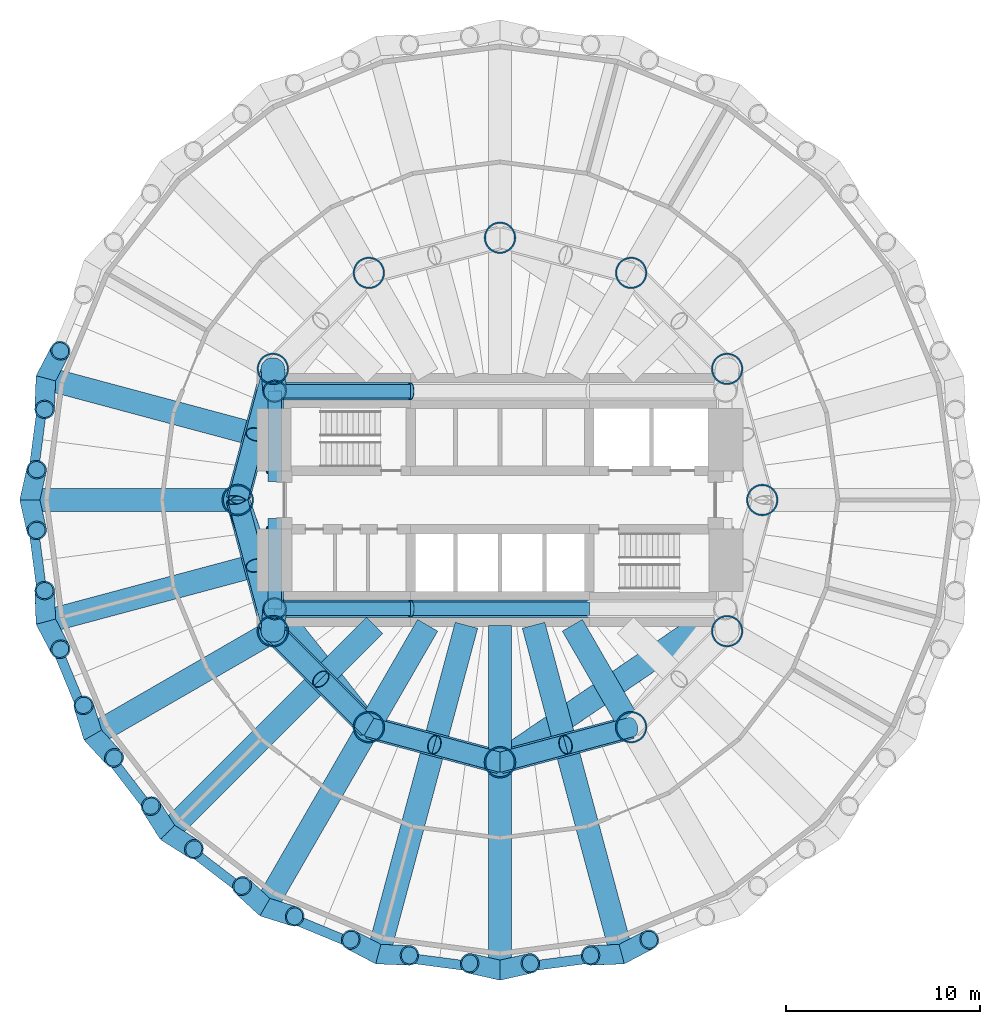
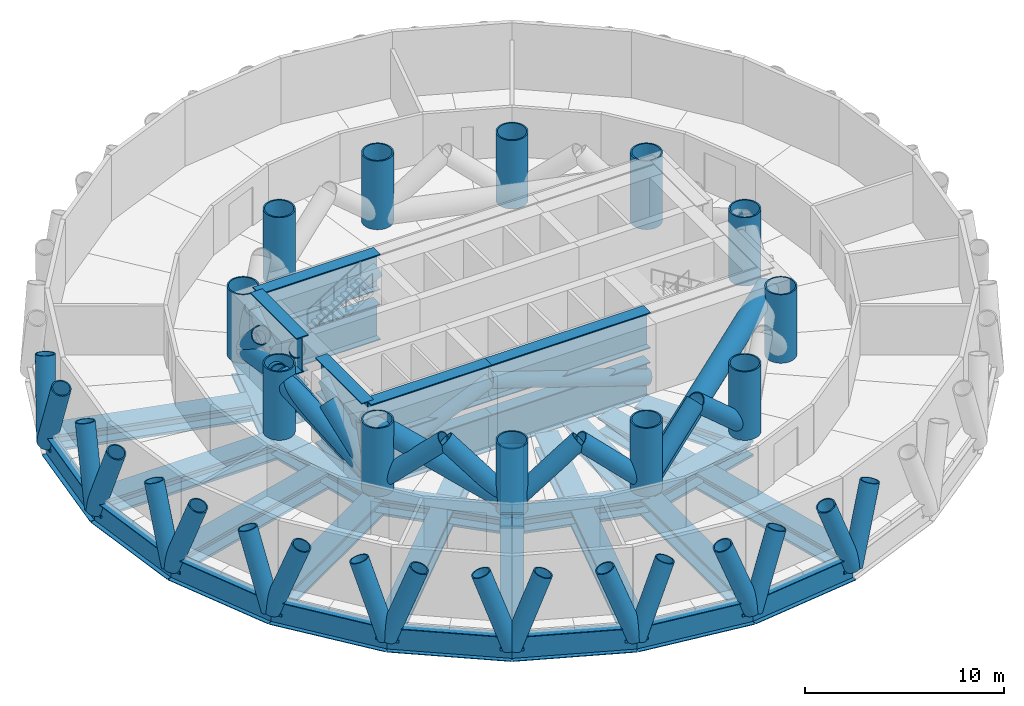
# One storey, part 1 of 6: 40 members, 38 beams, 12 columns.
"""IFC4 building model written with IfcOpenShell, lengths in metres."""

from ifc_helpers import new_model, si_unit, direction, frame, origin, origin_2d, place, context, subcontext, project, spatial, hollow_circle, i_section, extrude, material, material_profile, profile_set, type_object, element, save


model = new_model("IFC4")

# Units and contexts
model_context = context("Model", 3, precision=1e-05, world=origin(), true_north=direction((0.0, 1.0)))
body_context = subcontext(model_context, "Body", "Model", "MODEL_VIEW")
ifc_project = project(units=[si_unit("LENGTHUNIT", "METRE"), si_unit("AREAUNIT", "SQUARE_METRE"), si_unit("VOLUMEUNIT", "CUBIC_METRE"), si_unit("PLANEANGLEUNIT", "RADIAN"), si_unit("MASSUNIT", "GRAM", prefix="KILO")], contexts=[model_context])

# Site, building, storey
site_placement = place(None, origin())
site = spatial("IfcSite", under=ifc_project, at=site_placement, CompositionType="ELEMENT")
building_placement = place(site_placement, origin())
building = spatial("IfcBuilding", under=site, at=building_placement, Name="Qaws Media Tower", CompositionType="ELEMENT")
storey_placement = place(building_placement, frame((0.0, 0.0, 194.0)))
storey = spatial("IfcBuildingStorey", under=building, at=storey_placement, Name="L44", CompositionType="ELEMENT", Elevation=194.0)

# Columns
ifc_material_1 = material(Name="Steel S460", Category="steel")
ifc_material_profile_1 = material_profile(ifc_material_1, hollow_circle(Radius=0.81298828125, WallThickness=0.080078125, at=origin_2d()), Name="CHS 1626x80")
ifc_profile_set_1 = profile_set([ifc_material_profile_1], Name="Steel S460")
column_type = type_object("IfcColumnType", Name="Inner column CHS 1626x80", PredefinedType="COLUMN", material=ifc_profile_set_1)
for number, where, z_axis, x_axis, name in (
    (1, (73.5, 50.0, 0.0), (0.0, 0.0, 1.0), (1.0, 0.0, 0.0), "C6 inner column I01 L44"),
    (2, (71.69140625, 56.75, 0.0), (0.0, 0.0, 1.0), (1.0, 0.0, 0.0), "C6 inner column I02 L44"),
    (3, (66.75, 61.69140625, 0.0), (0.0, 0.0, 1.0), (1.0, 0.0, 0.0), "C6 inner column I03 L44"),
    (4, (60.0, 63.5, 0.0), (0.0, 0.0, 1.0), (1.0, 0.0, 0.0), "C6 inner column I04 L44"),
    (5, (53.25, 61.69140625, 0.0), (0.0, 0.0, 1.0), (1.0, 0.0, 0.0), "C6 inner column I05 L44"),
    (6, (48.30859375, 56.75, 0.0), (0.0, 0.0, 1.0), (1.0, 0.0, 0.0), "C6 inner column I06 L44"),
    (7, (46.5, 50.0, 0.0), (0.0, 0.0, 1.0), (1.0, 0.0, 0.0), "C6 inner column I07 L44"),
    (8, (48.30859375, 43.25, 0.0), (0.0, 0.0, 1.0), (1.0, 0.0, 0.0), "C6 inner column I08 L44"),
    (9, (53.25, 38.30859375, 0.0), (0.0, 0.0, 1.0), (1.0, 0.0, 0.0), "C6 inner column I09 L44"),
    (10, (60.0, 36.5, 0.0), (0.0, 0.0, 1.0), (1.0, 0.0, 0.0), "C6 inner column I10 L44"),
    (11, (66.75, 38.30859375, 0.0), (0.0, 0.0, 1.0), (1.0, 0.0, 0.0), "C6 inner column I11 L44"),
    (12, (71.69140625, 43.25, 0.0), (0.0, 0.0, 1.0), (1.0, 0.0, 0.0), "C6 inner column I12 L44"),
):
    element("IfcColumn", number, at=place(storey_placement, frame(where, z_axis=z_axis, x_axis=x_axis)), inside=storey, type_object=column_type, Name=name, PredefinedType="COLUMN", context=body_context, shape_type="SweptSolid", body=[
        extrude(hollow_circle(Radius=0.81298828125, WallThickness=0.080078125, at=origin_2d()), origin(), (0.0, 0.0, 1.0), 4.199951171875),
    ])

# Members
ifc_material_2 = material(Name="Steel S355", Category="steel")
ifc_material_profile_2 = material_profile(ifc_material_2, hollow_circle(Radius=0.508056640625, WallThickness=0.050048828125, at=origin_2d()), Name="CHS 1016x50")
ifc_profile_set_2 = profile_set([ifc_material_profile_2], Name="Steel S355")
member_type_1 = type_object("IfcMemberType", Name="Belt truss diagonal CHS 1016x50", PredefinedType="BRACE", material=ifc_profile_set_2)
member_1_placement = place(storey_placement, frame((48.30859375, 56.75, 0.39990234375), z_axis=(-0.192495823814, -0.718429338123, 0.668434472434), x_axis=(0.965928090778, -0.258810593767, 0.0)))
element("IfcMember", 13, at=member_1_placement, inside=storey, type_object=member_type_1, Name="BT1 belt diagonal L44 I06 to bay I06-I07 apex", PredefinedType="BRACE", context=body_context, shape_type="SweptSolid", body=[
    extrude(hollow_circle(Radius=0.508056640625, WallThickness=0.050048828125, at=origin_2d()), origin(), (0.0, 0.0, 1.0), 4.69775390625),
])
for number, where, z_axis, x_axis, name in (
    (14, (48.30859375, 56.75, 0.39990234375), (-0.236071893231, -0.881063134997, 0.409875363221), (0.965928090778, -0.258810593767, 0.0), "BT1 belt diagonal L44 I06 to the head over I07"),
    (15, (48.30859375, 43.25, 0.39990234375), (-0.236071893231, 0.881063134997, 0.409875363221), (-0.965928090778, -0.258810593767, 0.0), "BT1 belt diagonal L44 I08 to the head over I07"),
):
    element("IfcMember", number, at=place(storey_placement, frame(where, z_axis=z_axis, x_axis=x_axis)), inside=storey, type_object=member_type_1, Name=name, PredefinedType="BRACE", context=body_context, shape_type="SweptSolid", body=[
        extrude(hollow_circle(Radius=0.508056640625, WallThickness=0.050048828125, at=origin_2d()), origin(), (0.0, 0.0, 1.0), 7.6611328125),
    ])
for number, where, z_axis, x_axis, name in (
    (16, (48.30859375, 43.25, 0.39990234375), (-0.192495823814, 0.718429338123, 0.668434472434), (-0.965928090778, -0.258810593767, 0.0), "BT1 belt diagonal L44 I08 to bay I07-I08 apex"),
    (17, (48.30859375, 43.25, 0.39990234375), (0.525929105231, -0.525929105231, 0.668428868723), (0.707106781187, 0.707106781187, 0.0), "BT1 belt diagonal L44 I08 to bay I08-I09 apex"),
    (18, (53.25, 38.30859375, 0.39990234375), (-0.525929105231, 0.525929105231, 0.668428868723), (-0.707106781187, -0.707106781187, 0.0), "BT1 belt diagonal L44 I09 to bay I08-I09 apex"),
    (19, (53.25, 38.30859375, 0.39990234375), (0.718429338123, -0.192495823814, 0.668434472434), (0.258810593767, 0.965928090778, 0.0), "BT1 belt diagonal L44 I09 to bay I09-I10 apex"),
    (20, (60.0, 36.5, 0.39990234375), (-0.718429338123, 0.192495823814, 0.668434472434), (-0.258810593767, -0.965928090778, 0.0), "BT1 belt diagonal L44 I10 to bay I09-I10 apex"),
    (21, (60.0, 36.5, 0.39990234375), (0.718429338123, 0.192495823814, 0.668434472434), (-0.258810593767, 0.965928090778, 0.0), "BT1 belt diagonal L44 I10 to bay I10-I11 apex"),
    (22, (66.75, 38.30859375, 0.39990234375), (-0.718429338123, -0.192495823814, 0.668434472434), (0.258810593767, -0.965928090778, 0.0), "BT1 belt diagonal L44 I11 to bay I10-I11 apex"),
):
    element("IfcMember", number, at=place(storey_placement, frame(where, z_axis=z_axis, x_axis=x_axis)), inside=storey, type_object=member_type_1, Name=name, PredefinedType="BRACE", context=body_context, shape_type="SweptSolid", body=[
        extrude(hollow_circle(Radius=0.508056640625, WallThickness=0.050048828125, at=origin_2d()), origin(), (0.0, 0.0, 1.0), 4.69775390625),
    ])

# Beams
ifc_material_3 = material(Name="Steel S460", Category="steel")
ifc_material_profile_3 = material_profile(ifc_material_3, i_section(OverallWidth=0.699951171875, OverallDepth=2.199951171875, WebThickness=0.028076171875, FlangeThickness=0.06005859375, at=origin_2d()), Name="PG 2200x700")
ifc_profile_set_3 = profile_set([ifc_material_profile_3], Name="Steel S460")
beam_type_1 = type_object("IfcBeamType", Name="Core outrigger truss chord PG 2200x700", PredefinedType="BEAM", material=ifc_profile_set_3)
for number, where, z_axis, x_axis, name in (
    (23, (48.39990234375, 55.60009765625, 0.39990234375), (1.0, 0.0, 0.0), (0.0, 1.0, 0.0), "CT1 core outrigger truss chord NB1 L44"),
    (24, (48.39990234375, 55.60009765625, 3.449951171875), (1.0, 0.0, 0.0), (0.0, 1.0, 0.0), "CT1 core outrigger truss chord NT1 L44"),
    (25, (48.39990234375, 44.39990234375, 0.39990234375), (1.0, 0.0, 0.0), (0.0, 1.0, 0.0), "CT1 core outrigger truss chord SB1 L44"),
    (26, (48.39990234375, 44.39990234375, 3.449951171875), (1.0, 0.0, 0.0), (0.0, 1.0, 0.0), "CT1 core outrigger truss chord ST1 L44"),
):
    element("IfcBeam", number, at=place(storey_placement, frame(where, z_axis=z_axis, x_axis=x_axis)), inside=storey, type_object=beam_type_1, Name=name, PredefinedType="BEAM", context=body_context, shape_type="SweptSolid", body=[
        extrude(i_section(OverallWidth=0.699951171875, OverallDepth=2.199951171875, WebThickness=0.028076171875, FlangeThickness=0.06005859375, at=origin_2d()), origin(), (0.0, 0.0, 1.0), 7.0),
    ])
for number, where, z_axis, x_axis, name in (
    (27, (55.39990234375, 44.39990234375, 0.39990234375), (1.0, 0.0, 0.0), (0.0, 1.0, 0.0), "CT1 core outrigger truss chord SB2 L44"),
    (28, (55.39990234375, 44.39990234375, 3.449951171875), (1.0, 0.0, 0.0), (0.0, 1.0, 0.0), "CT1 core outrigger truss chord ST2 L44"),
):
    element("IfcBeam", number, at=place(storey_placement, frame(where, z_axis=z_axis, x_axis=x_axis)), inside=storey, type_object=beam_type_1, Name=name, PredefinedType="BEAM", context=body_context, shape_type="SweptSolid", body=[
        extrude(i_section(OverallWidth=0.699951171875, OverallDepth=2.199951171875, WebThickness=0.028076171875, FlangeThickness=0.06005859375, at=origin_2d()), origin(), (0.0, 0.0, 1.0), 9.2001953125),
    ])
for number, where, z_axis, x_axis, name in (
    (29, (48.39990234375, 44.39990234375, 0.39990234375), (0.0, 1.0, 0.0), (-1.0, 0.0, 0.0), "CT1 core outrigger truss chord WB1 L44"),
    (30, (48.39990234375, 44.39990234375, 3.449951171875), (0.0, 1.0, 0.0), (-1.0, 0.0, 0.0), "CT1 core outrigger truss chord WT1 L44"),
    (31, (48.39990234375, 50.949951171875, 0.39990234375), (0.0, 1.0, 0.0), (-1.0, 0.0, 0.0), "CT1 core outrigger truss chord WB3 L44"),
    (32, (48.39990234375, 50.949951171875, 3.449951171875), (0.0, 1.0, 0.0), (-1.0, 0.0, 0.0), "CT1 core outrigger truss chord WT3 L44"),
):
    element("IfcBeam", number, at=place(storey_placement, frame(where, z_axis=z_axis, x_axis=x_axis)), inside=storey, type_object=beam_type_1, Name=name, PredefinedType="BEAM", context=body_context, shape_type="SweptSolid", body=[
        extrude(i_section(OverallWidth=0.699951171875, OverallDepth=2.199951171875, WebThickness=0.028076171875, FlangeThickness=0.06005859375, at=origin_2d()), origin(), (0.0, 0.0, 1.0), 4.650146484375),
    ])

# Members
ifc_material_4 = material(Name="Steel S460", Category="steel")
ifc_material_profile_4 = material_profile(ifc_material_4, hollow_circle(Radius=0.45703125, WallThickness=0.044921875, at=origin_2d()), Name="CHS 914x45")
ifc_profile_set_4 = profile_set([ifc_material_profile_4], Name="Steel S460")
member_type_2 = type_object("IfcMemberType", Name="Core outrigger truss diagonal CHS 914x45", PredefinedType="BRACE", material=ifc_profile_set_4)
for number, where, z_axis, x_axis, name in (
    (33, (48.39990234375, 55.60009765625, 0.39990234375), (0.916755115174, 0.0, 0.399449694959), (0.0, 1.0, 0.0), "CT2 core outrigger truss diagonal N1 L44"),
    (34, (48.39990234375, 44.39990234375, 0.39990234375), (0.916755115174, 0.0, 0.399449694959), (0.0, 1.0, 0.0), "CT2 core outrigger truss diagonal S1 L44"),
):
    element("IfcMember", number, at=place(storey_placement, frame(where, z_axis=z_axis, x_axis=x_axis)), inside=storey, type_object=member_type_2, Name=name, PredefinedType="BRACE", context=body_context, shape_type="SweptSolid", body=[
        extrude(hollow_circle(Radius=0.45703125, WallThickness=0.044921875, at=origin_2d()), origin(), (0.0, 0.0, 1.0), 7.6357421875),
    ])
member_2_placement = place(storey_placement, frame((64.60009765625, 44.39990234375, 0.39990234375), z_axis=(-0.949198394825, 0.0, 0.314678259913), x_axis=(0.0, -1.0, 0.0)))
element("IfcMember", 35, at=member_2_placement, inside=storey, type_object=member_type_2, Name="CT2 core outrigger truss diagonal S2 L44", PredefinedType="BRACE", context=body_context, shape_type="SweptSolid", body=[
    extrude(hollow_circle(Radius=0.45703125, WallThickness=0.044921875, at=origin_2d()), origin(), (0.0, 0.0, 1.0), 9.692626953125),
])
for number, where, z_axis, x_axis, name in (
    (36, (48.39990234375, 44.39990234375, 0.39990234375), (0.0, 0.802344423369, 0.596861312442), (-1.0, 0.0, 0.0), "CT2 core outrigger truss diagonal W1 L44"),
    (37, (48.39990234375, 48.5, 0.39990234375), (0.0, -0.802344423369, 0.596861312442), (1.0, 0.0, 0.0), "CT2 core outrigger truss diagonal W1b L44"),
    (38, (48.39990234375, 51.5, 0.39990234375), (0.0, 0.802344423369, 0.596861312442), (-1.0, 0.0, 0.0), "CT2 core outrigger truss diagonal W3 L44"),
    (39, (48.39990234375, 55.60009765625, 0.39990234375), (0.0, -0.802344423369, 0.596861312442), (1.0, 0.0, 0.0), "CT2 core outrigger truss diagonal W3b L44"),
):
    element("IfcMember", number, at=place(storey_placement, frame(where, z_axis=z_axis, x_axis=x_axis)), inside=storey, type_object=member_type_2, Name=name, PredefinedType="BRACE", context=body_context, shape_type="SweptSolid", body=[
        extrude(hollow_circle(Radius=0.45703125, WallThickness=0.044921875, at=origin_2d()), origin(), (0.0, 0.0, 1.0), 5.110107421875),
    ])
ifc_material_5 = material(Name="Steel S460", Category="steel")
ifc_material_profile_5 = material_profile(ifc_material_5, hollow_circle(Radius=0.508056640625, WallThickness=0.070068359375, at=origin_2d()), Name="CHS 1016x70")
ifc_profile_set_5 = profile_set([ifc_material_profile_5], Name="Steel S460")
member_type_3 = type_object("IfcMemberType", Name="Diagrid member CHS 1016x70", PredefinedType="USERDEFINED", material=ifc_profile_set_5)
for number, where, z_axis, x_axis, name in (
    (40, (36.62451171875, 56.263427734375, -1.0), (-0.014234368667, -0.349568372086, 0.936802719886), (0.999171976829, -0.040686124419, 0.0), "DG3 diagrid L44 A12"),
    (41, (36.62451171875, 56.263427734375, -1.0), (0.162442860207, 0.309851625704, 0.936805362504), (-0.885667434492, 0.464320143307, 0.0), "DG3 diagrid L44 B12"),
    (42, (35.800048828125, 50.0, -1.0), (0.076662926383, -0.341357939939, 0.936801768017), (0.975696974085, 0.219124199396, 0.0), "DG3 diagrid L44 A13"),
    (43, (35.800048828125, 50.0, -1.0), (0.076662926383, 0.341357939939, 0.936801768017), (-0.975696974085, 0.219124199396, 0.0), "DG3 diagrid L44 B13"),
    (44, (36.62451171875, 43.736572265625, -1.0), (0.162442860207, -0.309851625704, 0.936805362504), (0.885667434492, 0.464320143307, 0.0), "DG3 diagrid L44 A14"),
    (45, (36.62451171875, 43.736572265625, -1.0), (-0.014234368667, 0.349568372086, 0.936802719886), (-0.999171976829, -0.040686124419, 0.0), "DG3 diagrid L44 B14"),
    (46, (39.042236328125, 37.89990234375, -1.0), (0.237082608367, -0.257234896643, 0.936814840168), (0.735323234124, 0.677716564176, 0.0), "DG3 diagrid L44 A15"),
    (47, (39.042236328125, 37.89990234375, -1.0), (-0.104279028189, 0.333948789661, 0.936805257331), (-0.954545031131, -0.298066743437, 0.0), "DG3 diagrid L44 B15"),
    (48, (42.887939453125, 32.887939453125, -1.0), (0.295615716286, -0.187125548091, 0.936800607139), (0.534852679706, 0.844945330191, 0.0), "DG3 diagrid L44 A16"),
    (49, (42.887939453125, 32.887939453125, -1.0), (-0.187125548091, 0.295615716286, 0.936800607139), (-0.844945330191, -0.534852679706, 0.0), "DG3 diagrid L44 B16"),
    (50, (47.89990234375, 29.042236328125, -1.0), (0.333948789661, -0.104279028189, 0.936805257331), (0.298066743437, 0.954545031131, 0.0), "DG3 diagrid L44 A17"),
    (51, (47.89990234375, 29.042236328125, -1.0), (-0.257234896643, 0.237082608367, 0.936814840168), (-0.677716564176, -0.735323234124, 0.0), "DG3 diagrid L44 B17"),
    (52, (53.736572265625, 26.62451171875, -1.0), (0.349568372086, -0.014234368667, 0.936802719886), (0.040686124419, 0.999171976829, 0.0), "DG3 diagrid L44 A18"),
    (53, (53.736572265625, 26.62451171875, -1.0), (-0.309851625704, 0.162442860207, 0.936805362504), (-0.464320143307, -0.885667434492, 0.0), "DG3 diagrid L44 B18"),
    (54, (60.0, 25.800048828125, -1.0), (0.341357939939, 0.076662926383, 0.936801768017), (-0.219124199396, 0.975696974085, 0.0), "DG3 diagrid L44 A19"),
    (55, (60.0, 25.800048828125, -1.0), (-0.341357939939, 0.076662926383, 0.936801768017), (-0.219124199396, -0.975696974085, 0.0), "DG3 diagrid L44 B19"),
    (56, (66.263427734375, 26.62451171875, -1.0), (0.309851625704, 0.162442860207, 0.936805362504), (-0.464320143307, 0.885667434492, 0.0), "DG3 diagrid L44 A20"),
    (57, (66.263427734375, 26.62451171875, -1.0), (-0.349568372086, -0.014234368667, 0.936802719886), (0.040686124419, -0.999171976829, 0.0), "DG3 diagrid L44 B20"),
):
    element("IfcMember", number, at=place(storey_placement, frame(where, z_axis=z_axis, x_axis=x_axis)), inside=storey, type_object=member_type_3, Name=name, ObjectType="DIAGRID", PredefinedType="USERDEFINED", context=body_context, shape_type="SweptSolid", body=[
        extrude(hollow_circle(Radius=0.508056640625, WallThickness=0.070068359375, at=origin_2d()), origin(), (0.0, 0.0, 1.0), 4.579345703125),
    ])

# Beams
ifc_material_6 = material(Name="Steel S460", Category="steel")
ifc_material_profile_6 = material_profile(ifc_material_6, i_section(OverallWidth=0.5, OverallDepth=1.5, WebThickness=0.02001953125, FlangeThickness=0.0400390625, at=origin_2d()), Name="PG 1500x500")
ifc_profile_set_6 = profile_set([ifc_material_profile_6], Name="Steel S460")
beam_type_2 = type_object("IfcBeamType", Name="Edge ring beam PG 1500x500", PredefinedType="BEAM", material=ifc_profile_set_6)
for number, where, z_axis, x_axis, name in (
    (58, (36.62451171875, 56.263427734375, -1.0), (-0.130505495907, -0.991447585875, 0.0), (0.991447585875, -0.130505495907, 0.0), "RB4 edge ring beam L44-12"),
    (59, (35.800048828125, 50.0, -1.0), (0.130505495907, -0.991447585875, 0.0), (0.991447585875, 0.130505495907, 0.0), "RB4 edge ring beam L44-13"),
):
    element("IfcBeam", number, at=place(storey_placement, frame(where, z_axis=z_axis, x_axis=x_axis)), inside=storey, type_object=beam_type_2, Name=name, PredefinedType="BEAM", context=body_context, shape_type="SweptSolid", body=[
        extrude(i_section(OverallWidth=0.5, OverallDepth=1.5, WebThickness=0.02001953125, FlangeThickness=0.0400390625, at=origin_2d()), origin(), (0.0, 0.0, 1.0), 6.3173828125),
    ])
beam_1_placement = place(storey_placement, frame((36.62451171875, 43.736572265625, -1.0), z_axis=(0.382696506463, -0.923874116934, 0.0), x_axis=(0.923874116934, 0.382696506463, 0.0)))
element("IfcBeam", 60, at=beam_1_placement, inside=storey, type_object=beam_type_2, Name="RB4 edge ring beam L44-14", PredefinedType="BEAM", context=body_context, shape_type="SweptSolid", body=[
    extrude(i_section(OverallWidth=0.5, OverallDepth=1.5, WebThickness=0.02001953125, FlangeThickness=0.0400390625, at=origin_2d()), origin(), (0.0, 0.0, 1.0), 6.317626953125),
])
for number, where, z_axis, x_axis, name in (
    (61, (39.042236328125, 37.89990234375, -1.0), (0.608750343575, -0.793361846321, 0.0), (0.793361846321, 0.608750343575, 0.0), "RB4 edge ring beam L44-15"),
    (62, (42.887939453125, 32.887939453125, -1.0), (0.793361846321, -0.608750343575, 0.0), (0.608750343575, 0.793361846321, 0.0), "RB4 edge ring beam L44-16"),
):
    element("IfcBeam", number, at=place(storey_placement, frame(where, z_axis=z_axis, x_axis=x_axis)), inside=storey, type_object=beam_type_2, Name=name, PredefinedType="BEAM", context=body_context, shape_type="SweptSolid", body=[
        extrude(i_section(OverallWidth=0.5, OverallDepth=1.5, WebThickness=0.02001953125, FlangeThickness=0.0400390625, at=origin_2d()), origin(), (0.0, 0.0, 1.0), 6.3173828125),
    ])
beam_2_placement = place(storey_placement, frame((47.89990234375, 29.042236328125, -1.0), z_axis=(0.923874116934, -0.382696506463, 0.0), x_axis=(0.382696506463, 0.923874116934, 0.0)))
element("IfcBeam", 63, at=beam_2_placement, inside=storey, type_object=beam_type_2, Name="RB4 edge ring beam L44-17", PredefinedType="BEAM", context=body_context, shape_type="SweptSolid", body=[
    extrude(i_section(OverallWidth=0.5, OverallDepth=1.5, WebThickness=0.02001953125, FlangeThickness=0.0400390625, at=origin_2d()), origin(), (0.0, 0.0, 1.0), 6.317626953125),
])
for number, where, z_axis, x_axis, name in (
    (64, (53.736572265625, 26.62451171875, -1.0), (0.991447585875, -0.130505495907, 0.0), (0.130505495907, 0.991447585875, 0.0), "RB4 edge ring beam L44-18"),
    (65, (60.0, 25.800048828125, -1.0), (0.991447585875, 0.130505495907, 0.0), (-0.130505495907, 0.991447585875, 0.0), "RB4 edge ring beam L44-19"),
):
    element("IfcBeam", number, at=place(storey_placement, frame(where, z_axis=z_axis, x_axis=x_axis)), inside=storey, type_object=beam_type_2, Name=name, PredefinedType="BEAM", context=body_context, shape_type="SweptSolid", body=[
        extrude(i_section(OverallWidth=0.5, OverallDepth=1.5, WebThickness=0.02001953125, FlangeThickness=0.0400390625, at=origin_2d()), origin(), (0.0, 0.0, 1.0), 6.3173828125),
    ])
ifc_material_7 = material(Name="Steel S460", Category="steel")
ifc_material_profile_7 = material_profile(ifc_material_7, i_section(OverallWidth=1.199951171875, OverallDepth=1.0, WebThickness=0.06005859375, FlangeThickness=0.14990234375, at=origin_2d()), Name="PG 1000x1200")
ifc_profile_set_7 = profile_set([ifc_material_profile_7], Name="Steel S460")
beam_type_3 = type_object("IfcBeamType", Name="Inner ring girder PG 1000x1200", PredefinedType="BEAM", material=ifc_profile_set_7)
for number, where, z_axis, x_axis, name in (
    (66, (48.30859375, 56.75, -0.75), (-0.258810593767, -0.965928090778, 0.0), (0.965928090778, -0.258810593767, 0.0), "B3 inner ring beam L44 I06-I07"),
    (67, (46.5, 50.0, -0.75), (0.258810593767, -0.965928090778, 0.0), (0.965928090778, 0.258810593767, 0.0), "B3 inner ring beam L44 I07-I08"),
):
    element("IfcBeam", number, at=place(storey_placement, frame(where, z_axis=z_axis, x_axis=x_axis)), inside=storey, type_object=beam_type_3, Name=name, PredefinedType="BEAM", context=body_context, shape_type="SweptSolid", body=[
        extrude(i_section(OverallWidth=1.199951171875, OverallDepth=1.0, WebThickness=0.06005859375, FlangeThickness=0.14990234375, at=origin_2d()), origin(), (0.0, 0.0, 1.0), 6.988037109375),
    ])
beam_3_placement = place(storey_placement, frame((48.30859375, 43.25, -0.75), z_axis=(0.707106781187, -0.707106781187, 0.0), x_axis=(0.707106781187, 0.707106781187, 0.0)))
element("IfcBeam", 68, at=beam_3_placement, inside=storey, type_object=beam_type_3, Name="B3 inner ring beam L44 I08-I09", PredefinedType="BEAM", context=body_context, shape_type="SweptSolid", body=[
    extrude(i_section(OverallWidth=1.199951171875, OverallDepth=1.0, WebThickness=0.06005859375, FlangeThickness=0.14990234375, at=origin_2d()), origin(), (0.0, 0.0, 1.0), 6.98828125),
])
for number, where, z_axis, x_axis, name in (
    (69, (53.25, 38.30859375, -0.75), (0.965928090778, -0.258810593767, 0.0), (0.258810593767, 0.965928090778, 0.0), "B3 inner ring beam L44 I09-I10"),
    (70, (60.0, 36.5, -0.75), (0.965928090778, 0.258810593767, 0.0), (-0.258810593767, 0.965928090778, 0.0), "B3 inner ring beam L44 I10-I11"),
):
    element("IfcBeam", number, at=place(storey_placement, frame(where, z_axis=z_axis, x_axis=x_axis)), inside=storey, type_object=beam_type_3, Name=name, PredefinedType="BEAM", context=body_context, shape_type="SweptSolid", body=[
        extrude(i_section(OverallWidth=1.199951171875, OverallDepth=1.0, WebThickness=0.06005859375, FlangeThickness=0.14990234375, at=origin_2d()), origin(), (0.0, 0.0, 1.0), 6.988037109375),
    ])

# Members
ifc_material_8 = material(Name="Steel S355", Category="steel")
ifc_material_profile_8 = material_profile(ifc_material_8, hollow_circle(Radius=0.609619140625, WallThickness=0.06005859375, at=origin_2d()), Name="CHS 1219x60")
ifc_profile_set_8 = profile_set([ifc_material_profile_8], Name="Steel S355")
member_type_4 = type_object("IfcMemberType", Name="Outrigger diagonal CHS 1219x60", PredefinedType="BRACE", material=ifc_profile_set_8)
member_3_placement = place(storey_placement, frame((48.39990234375, 55.60009765625, 3.449951171875), z_axis=(-0.028001117497, 0.352634394142, -0.935342141404), x_axis=(-0.996862212282, -0.079156362504, 0.0)))
element("IfcMember", 71, at=member_3_placement, inside=storey, type_object=member_type_4, Name="OT1 outrigger diagonal L44 I06", PredefinedType="BRACE", context=body_context, shape_type="SweptSolid", body=[
    extrude(hollow_circle(Radius=0.609619140625, WallThickness=0.06005859375, at=origin_2d()), origin(), (0.0, 0.0, 1.0), 3.260986328125),
])
member_4_placement = place(storey_placement, frame((48.39990234375, 44.39990234375, 0.39990234375), z_axis=(-0.28553493389, 0.841634581543, 0.458389607953), x_axis=(-0.946985429362, -0.321276511086, 0.0)))
element("IfcMember", 72, at=member_4_placement, inside=storey, type_object=member_type_4, Name="OT1 outrigger diagonal L44 I07", PredefinedType="BRACE", context=body_context, shape_type="SweptSolid", body=[
    extrude(hollow_circle(Radius=0.609619140625, WallThickness=0.06005859375, at=origin_2d()), origin(), (0.0, 0.0, 1.0), 6.65380859375),
])
member_5_placement = place(storey_placement, frame((48.39990234375, 44.39990234375, 3.449951171875), z_axis=(-0.028001117497, -0.352634394142, -0.935342141404), x_axis=(0.996862212282, -0.079156362504, 0.0)))
element("IfcMember", 73, at=member_5_placement, inside=storey, type_object=member_type_4, Name="OT1 outrigger diagonal L44 I08", PredefinedType="BRACE", context=body_context, shape_type="SweptSolid", body=[
    extrude(hollow_circle(Radius=0.609619140625, WallThickness=0.06005859375, at=origin_2d()), origin(), (0.0, 0.0, 1.0), 3.260986328125),
])
member_6_placement = place(storey_placement, frame((48.39990234375, 44.39990234375, 3.449951171875), z_axis=(0.579986430027, -0.728413441517, -0.364732229454), x_axis=(0.782304477714, 0.622896222616, 0.0)))
element("IfcMember", 74, at=member_6_placement, inside=storey, type_object=member_type_4, Name="OT1 outrigger diagonal L44 I09", PredefinedType="BRACE", context=body_context, shape_type="SweptSolid", body=[
    extrude(hollow_circle(Radius=0.609619140625, WallThickness=0.06005859375, at=origin_2d()), origin(), (0.0, 0.0, 1.0), 8.362548828125),
])
member_7_placement = place(storey_placement, frame((71.60009765625, 44.39990234375, 3.449951171875), z_axis=(-0.807681071313, -0.550047230407, -0.212366031568), x_axis=(0.562886565675, -0.826534157904, 0.0)))
element("IfcMember", 75, at=member_7_placement, inside=storey, type_object=member_type_4, Name="OT1 outrigger diagonal L44 I10", PredefinedType="BRACE", context=body_context, shape_type="SweptSolid", body=[
    extrude(hollow_circle(Radius=0.609619140625, WallThickness=0.06005859375, at=origin_2d()), origin(), (0.0, 0.0, 1.0), 14.3623046875),
])

# Beams
ifc_material_9 = material(Name="Steel S355", Category="steel")
ifc_material_profile_9 = material_profile(ifc_material_9, i_section(OverallWidth=1.199951171875, OverallDepth=1.0, WebThickness=0.06005859375, FlangeThickness=0.14990234375, at=origin_2d()), Name="PG 1000x1200")
ifc_profile_set_9 = profile_set([ifc_material_profile_9], Name="Steel S355")
beam_type_4 = type_object("IfcBeamType", Name="Plant floor beam PG 1000x1200", PredefinedType="BEAM", material=ifc_profile_set_9)
beam_4_placement = place(storey_placement, frame((46.82470703125, 53.5302734375, -0.75), z_axis=(-0.965925348063, 0.25882082986, 0.0), x_axis=(-0.25882082986, -0.965925348063, 0.0)))
element("IfcBeam", 76, at=beam_4_placement, inside=storey, type_object=beam_type_4, Name="B1 radial beam L44 12", PredefinedType="BEAM", context=body_context, shape_type="SweptSolid", body=[
    extrude(i_section(OverallWidth=1.199951171875, OverallDepth=1.0, WebThickness=0.06005859375, FlangeThickness=0.14990234375, at=origin_2d()), origin(), (0.0, 0.0, 1.0), 10.56005859375),
])
beam_5_placement = place(storey_placement, frame((46.5, 50.0, -0.75), z_axis=(-1.0, 0.0, 0.0), x_axis=(0.0, -1.0, 0.0)))
element("IfcBeam", 77, at=beam_5_placement, inside=storey, type_object=beam_type_4, Name="B1 radial beam L44 13", PredefinedType="BEAM", context=body_context, shape_type="SweptSolid", body=[
    extrude(i_section(OverallWidth=1.199951171875, OverallDepth=1.0, WebThickness=0.06005859375, FlangeThickness=0.14990234375, at=origin_2d()), origin(), (0.0, 0.0, 1.0), 10.699951171875),
])
beam_6_placement = place(storey_placement, frame((46.82470703125, 46.4697265625, -0.75), z_axis=(-0.965925348063, -0.25882082986, 0.0), x_axis=(0.25882082986, -0.965925348063, 0.0)))
element("IfcBeam", 78, at=beam_6_placement, inside=storey, type_object=beam_type_4, Name="B1 radial beam L44 14", PredefinedType="BEAM", context=body_context, shape_type="SweptSolid", body=[
    extrude(i_section(OverallWidth=1.199951171875, OverallDepth=1.0, WebThickness=0.06005859375, FlangeThickness=0.14990234375, at=origin_2d()), origin(), (0.0, 0.0, 1.0), 10.56005859375),
])
beam_7_placement = place(storey_placement, frame((48.30859375, 43.25, -0.75), z_axis=(-0.866018778813, -0.500011474612, 0.0), x_axis=(0.500011474612, -0.866018778813, 0.0)))
element("IfcBeam", 79, at=beam_7_placement, inside=storey, type_object=beam_type_4, Name="B1 radial beam L44 15", PredefinedType="BEAM", context=body_context, shape_type="SweptSolid", body=[
    extrude(i_section(OverallWidth=1.199951171875, OverallDepth=1.0, WebThickness=0.06005859375, FlangeThickness=0.14990234375, at=origin_2d()), origin(), (0.0, 0.0, 1.0), 10.699951171875),
])
beam_8_placement = place(storey_placement, frame((50.35498046875, 40.35498046875, -0.75), z_axis=(-0.707106781187, -0.707106781187, 0.0), x_axis=(0.707106781187, -0.707106781187, 0.0)))
element("IfcBeam", 80, at=beam_8_placement, inside=storey, type_object=beam_type_4, Name="B1 radial beam L44 16", PredefinedType="BEAM", context=body_context, shape_type="SweptSolid", body=[
    extrude(i_section(OverallWidth=1.199951171875, OverallDepth=1.0, WebThickness=0.06005859375, FlangeThickness=0.14990234375, at=origin_2d()), origin(), (0.0, 0.0, 1.0), 10.56005859375),
])
beam_9_placement = place(storey_placement, frame((53.550048828125, 43.550048828125, -0.75), z_axis=(-0.707106781187, -0.707106781187, 0.0), x_axis=(0.707106781187, -0.707106781187, 0.0)))
element("IfcBeam", 81, at=beam_9_placement, inside=storey, type_object=beam_type_4, Name="B6 radial beam L44 16", PredefinedType="BEAM", context=body_context, shape_type="SweptSolid", body=[
    extrude(i_section(OverallWidth=1.199951171875, OverallDepth=1.0, WebThickness=0.06005859375, FlangeThickness=0.14990234375, at=origin_2d()), origin(), (0.0, 0.0, 1.0), 3.318359375),
])
beam_10_placement = place(storey_placement, frame((53.25, 38.30859375, -0.75), z_axis=(-0.500011474612, -0.866018778813, 0.0), x_axis=(0.866018778813, -0.500011474612, 0.0)))
element("IfcBeam", 82, at=beam_10_placement, inside=storey, type_object=beam_type_4, Name="B1 radial beam L44 17", PredefinedType="BEAM", context=body_context, shape_type="SweptSolid", body=[
    extrude(i_section(OverallWidth=1.199951171875, OverallDepth=1.0, WebThickness=0.06005859375, FlangeThickness=0.14990234375, at=origin_2d()), origin(), (0.0, 0.0, 1.0), 10.699951171875),
])
beam_11_placement = place(storey_placement, frame((56.276123046875, 43.550048828125, -0.75), z_axis=(-0.499995978368, -0.866027725662, 0.0), x_axis=(0.866027725662, -0.499995978368, 0.0)))
element("IfcBeam", 83, at=beam_11_placement, inside=storey, type_object=beam_type_4, Name="B6 radial beam L44 17", PredefinedType="BEAM", context=body_context, shape_type="SweptSolid", body=[
    extrude(i_section(OverallWidth=1.199951171875, OverallDepth=1.0, WebThickness=0.06005859375, FlangeThickness=0.14990234375, at=origin_2d()), origin(), (0.0, 0.0, 1.0), 6.05224609375),
])
beam_12_placement = place(storey_placement, frame((56.4697265625, 36.82470703125, -0.75), z_axis=(-0.25882082986, -0.965925348063, 0.0), x_axis=(0.965925348063, -0.25882082986, 0.0)))
element("IfcBeam", 84, at=beam_12_placement, inside=storey, type_object=beam_type_4, Name="B1 radial beam L44 18", PredefinedType="BEAM", context=body_context, shape_type="SweptSolid", body=[
    extrude(i_section(OverallWidth=1.199951171875, OverallDepth=1.0, WebThickness=0.06005859375, FlangeThickness=0.14990234375, at=origin_2d()), origin(), (0.0, 0.0, 1.0), 10.56005859375),
])
beam_13_placement = place(storey_placement, frame((58.271728515625, 43.550048828125, -0.75), z_axis=(-0.258820087155, -0.965925547071, 0.0), x_axis=(0.965925547071, -0.258820087155, 0.0)))
element("IfcBeam", 85, at=beam_13_placement, inside=storey, type_object=beam_type_4, Name="B6 radial beam L44 18", PredefinedType="BEAM", context=body_context, shape_type="SweptSolid", body=[
    extrude(i_section(OverallWidth=1.199951171875, OverallDepth=1.0, WebThickness=0.06005859375, FlangeThickness=0.14990234375, at=origin_2d()), origin(), (0.0, 0.0, 1.0), 5.762451171875),
])
beam_14_placement = place(storey_placement, frame((60.0, 36.5, -0.75), z_axis=(0.0, -1.0, 0.0), x_axis=(1.0, 0.0, 0.0)))
element("IfcBeam", 86, at=beam_14_placement, inside=storey, type_object=beam_type_4, Name="B1 radial beam L44 19", PredefinedType="BEAM", context=body_context, shape_type="SweptSolid", body=[
    extrude(i_section(OverallWidth=1.199951171875, OverallDepth=1.0, WebThickness=0.06005859375, FlangeThickness=0.14990234375, at=origin_2d()), origin(), (0.0, 0.0, 1.0), 10.699951171875),
])
beam_15_placement = place(storey_placement, frame((60.0, 43.550048828125, -0.75), z_axis=(0.0, -1.0, 0.0), x_axis=(1.0, 0.0, 0.0)))
element("IfcBeam", 87, at=beam_15_placement, inside=storey, type_object=beam_type_4, Name="B6 radial beam L44 19", PredefinedType="BEAM", context=body_context, shape_type="SweptSolid", body=[
    extrude(i_section(OverallWidth=1.199951171875, OverallDepth=1.0, WebThickness=0.06005859375, FlangeThickness=0.14990234375, at=origin_2d()), origin(), (0.0, 0.0, 1.0), 7.050048828125),
])
beam_16_placement = place(storey_placement, frame((63.5302734375, 36.82470703125, -0.75), z_axis=(0.25882082986, -0.965925348063, 0.0), x_axis=(0.965925348063, 0.25882082986, 0.0)))
element("IfcBeam", 88, at=beam_16_placement, inside=storey, type_object=beam_type_4, Name="B1 radial beam L44 20", PredefinedType="BEAM", context=body_context, shape_type="SweptSolid", body=[
    extrude(i_section(OverallWidth=1.199951171875, OverallDepth=1.0, WebThickness=0.06005859375, FlangeThickness=0.14990234375, at=origin_2d()), origin(), (0.0, 0.0, 1.0), 10.56005859375),
])
beam_17_placement = place(storey_placement, frame((61.728271484375, 43.550048828125, -0.75), z_axis=(0.258820087155, -0.965925547071, 0.0), x_axis=(0.965925547071, 0.258820087155, 0.0)))
element("IfcBeam", 89, at=beam_17_placement, inside=storey, type_object=beam_type_4, Name="B6 radial beam L44 20", PredefinedType="BEAM", context=body_context, shape_type="SweptSolid", body=[
    extrude(i_section(OverallWidth=1.199951171875, OverallDepth=1.0, WebThickness=0.06005859375, FlangeThickness=0.14990234375, at=origin_2d()), origin(), (0.0, 0.0, 1.0), 5.762451171875),
])
beam_18_placement = place(storey_placement, frame((63.723876953125, 43.550048828125, -0.75), z_axis=(0.499995978368, -0.866027725662, 0.0), x_axis=(0.866027725662, 0.499995978368, 0.0)))
element("IfcBeam", 90, at=beam_18_placement, inside=storey, type_object=beam_type_4, Name="B6 radial beam L44 21", PredefinedType="BEAM", context=body_context, shape_type="SweptSolid", body=[
    extrude(i_section(OverallWidth=1.199951171875, OverallDepth=1.0, WebThickness=0.06005859375, FlangeThickness=0.14990234375, at=origin_2d()), origin(), (0.0, 0.0, 1.0), 6.05224609375),
])

save(model, "model.ifc")
